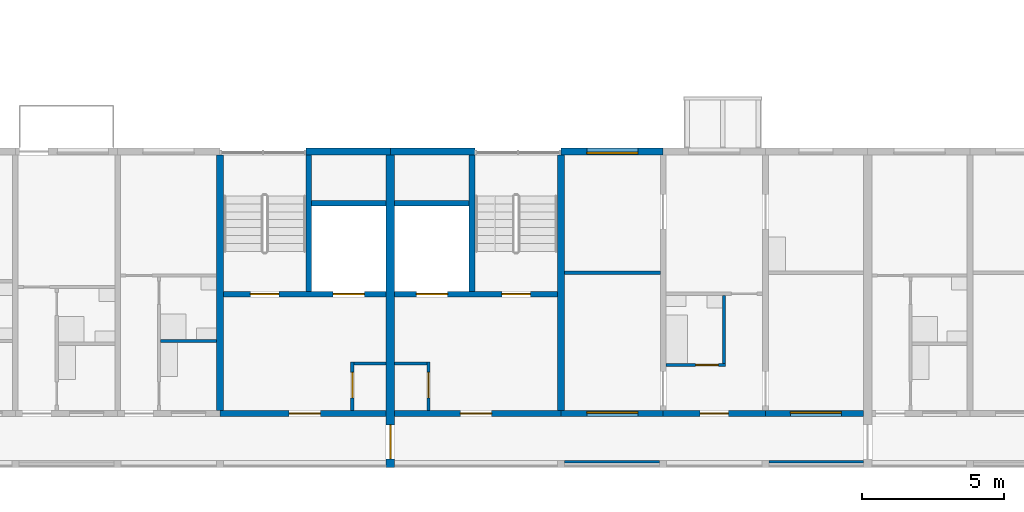
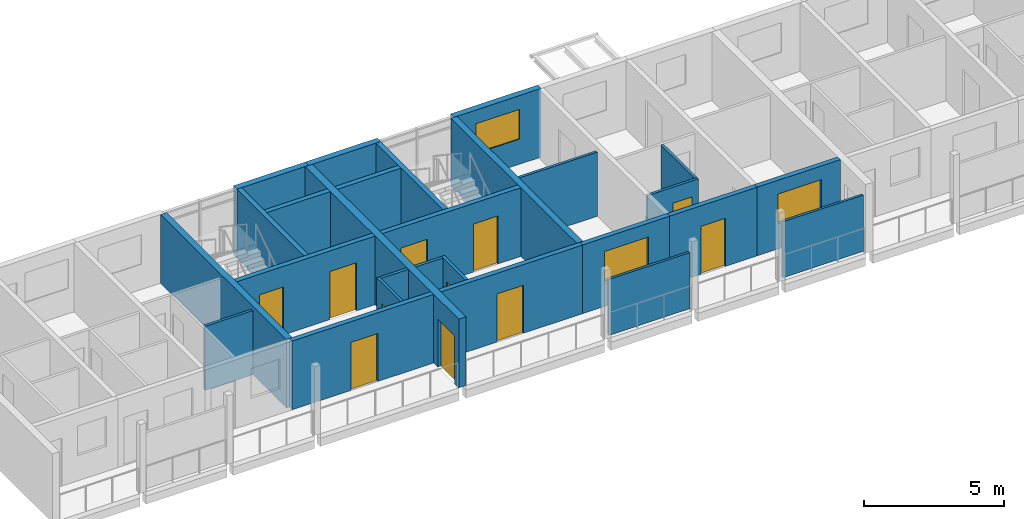
# One storey, part 44 of 94: 27 walls, 11 doors, 3 windows, 14 openings.
"""IFC4 building model written with IfcOpenShell, lengths in metres."""

from ifc_helpers import new_model, si_unit, direction, frame, frame_2d, origin, place, context, subcontext, project, spatial, rectangle, extrude, material, layer, layer_set, type_object, element, fill, save


model = new_model("IFC4")

# Units and contexts
model_context = context("Model", 3, precision=1e-05, world=origin(), true_north=direction((0.0, 1.0)))
body_context = subcontext(model_context, "Body", "Model", "MODEL_VIEW")
ifc_project = project(units=[si_unit("LENGTHUNIT", "METRE"), si_unit("AREAUNIT", "SQUARE_METRE"), si_unit("VOLUMEUNIT", "CUBIC_METRE"), si_unit("PLANEANGLEUNIT", "RADIAN"), si_unit("MASSUNIT", "GRAM", prefix="KILO")], contexts=[model_context])

# Site, building, storey
site_placement = place(None, origin())
site = spatial("IfcSite", under=ifc_project, at=site_placement, CompositionType="ELEMENT")
building_placement = place(site_placement, origin())
building = spatial("IfcBuilding", under=site, at=building_placement, Name="Ridgestep Commons", CompositionType="ELEMENT")
storey_placement = place(building_placement, frame((0.0, 0.0, 21.0)))
storey = spatial("IfcBuildingStorey", under=building, at=storey_placement, Name="L07", CompositionType="ELEMENT", Elevation=21.0)

# Walls
ifc_material_1 = material(Name="Concrete C30/37", Category="concrete")
ifc_layer_1 = layer(ifc_material_1, 0.25)
ifc_layer_set_1 = layer_set([ifc_layer_1], Name="Core cross wall 250")
wall_type_1 = type_object("IfcWallType", Name="Core cross wall 250", PredefinedType="SHEAR", material=ifc_layer_set_1)
for number, where, z_axis, x_axis, name in (
    (1, (157.60009765625, 13.75, 0.0), (0.0, 0.0, 1.0), (0.0, 1.0, 0.0), "Cross wall D-07-1576"),
    (2, (169.60009765625, 13.75, 0.0), (0.0, 0.0, 1.0), (0.0, 1.0, 0.0), "Cross wall D-07-1696"),
):
    element("IfcWall", number, at=place(storey_placement, frame(where, z_axis=z_axis, x_axis=x_axis)), inside=storey, type_object=wall_type_1, Name=name, PredefinedType="SHEAR", context=body_context, shape_type="SweptSolid", body=[
        extrude(rectangle(XDim=9.0, YDim=0.25, at=frame_2d((4.5, 0.0))), origin(), (0.0, 0.0, 1.0), 3.0),
    ])

# Wall, opening, door
ifc_material_2 = material(Name="Concrete C30/37", Category="concrete")
ifc_layer_2 = layer(ifc_material_2, 0.199951171875)
ifc_layer_set_2 = layer_set([ifc_layer_2], Name="Core south wall 200")
wall_type_2 = type_object("IfcWallType", Name="Core south wall 200", PredefinedType="SHEAR", material=ifc_layer_set_2)
wall_1_placement = place(storey_placement, frame((157.60009765625, 13.64990234375, 0.0), z_axis=(0.0, 0.0, 1.0), x_axis=(1.0, 0.0, 0.0)))
wall_1 = element("IfcWall", 3, at=wall_1_placement, inside=storey, type_object=wall_type_2, Name="Core south wall D1C L07", PredefinedType="SHEAR", context=body_context, shape_type="SweptSolid", body=[
    extrude(rectangle(XDim=5.849853515625, YDim=0.199951171875, at=frame_2d((2.9248046875, 0.0))), origin(), (0.0, 0.0, 1.0), 3.0),
])
opening_1_placement = place(wall_1_placement, frame((2.4375, 0.0, 0.0)))
opening_1 = element("IfcOpeningElement", 4, at=opening_1_placement, cuts=wall_1, Name="Opening D1C/07/1", PredefinedType="OPENING", context=body_context, shape_type="SweptSolid", body=[
    extrude(rectangle(XDim=1.10009765625, YDim=2.10009765625, at=frame_2d((0.550048828125, 1.050048828125))), frame((0.0, 0.10986328125, 0.0), z_axis=(0.0, -1.0, 0.0), x_axis=(1.0, 0.0, 0.0)), (0.0, 0.0, 1.0), 0.219970703125),
])
ifc_material_3 = material(Name="Steel fire door", Category="steel")
door_type_1 = type_object("IfcDoorType", Name="Lobby door 1100 x 2100 FD60", OperationType="NOTDEFINED", PredefinedType="DOOR", material=ifc_material_3)
door_1_placement = place(opening_1_placement, origin())
door_1 = element("IfcDoor", 5, at=door_1_placement, inside=storey, type_object=door_type_1, Name="Lobby door D1C/07/1", OperationType="SINGLE_SWING_LEFT", OverallHeight=2.10009765625, OverallWidth=1.10009765625, PredefinedType="DOOR", context=body_context, shape_type="SweptSolid", body=[
    extrude(rectangle(XDim=1.10009765625, YDim=2.10009765625, at=frame_2d((0.550048828125, 1.050048828125))), frame((0.0, 0.02490234375, 0.0), z_axis=(0.0, -1.0, 0.0), x_axis=(1.0, 0.0, 0.0)), (0.0, 0.0, 1.0), 0.050048828125),
])
fill(opening_1, door_1)

wall_2_placement = place(storey_placement, frame((163.75, 13.64990234375, 0.0), z_axis=(0.0, 0.0, 1.0), x_axis=(1.0, 0.0, 0.0)))
wall_2 = element("IfcWall", 6, at=wall_2_placement, inside=storey, type_object=wall_type_2, Name="Core south wall D2C L07", PredefinedType="SHEAR", context=body_context, shape_type="SweptSolid", body=[
    extrude(rectangle(XDim=5.85009765625, YDim=0.199951171875, at=frame_2d((2.925048828125, 0.0))), origin(), (0.0, 0.0, 1.0), 3.0),
])
opening_2_placement = place(wall_2_placement, frame((2.3125, 0.0, 0.0)))
opening_2 = element("IfcOpeningElement", 7, at=opening_2_placement, cuts=wall_2, Name="Opening D2C/07/1", PredefinedType="OPENING", context=body_context, shape_type="SweptSolid", body=[
    extrude(rectangle(XDim=1.10009765625, YDim=2.10009765625, at=frame_2d((0.550048828125, 1.050048828125))), frame((0.0, 0.10986328125, 0.0), z_axis=(0.0, -1.0, 0.0), x_axis=(1.0, 0.0, 0.0)), (0.0, 0.0, 1.0), 0.219970703125),
])
door_2_placement = place(opening_2_placement, origin())
door_2 = element("IfcDoor", 8, at=door_2_placement, inside=storey, type_object=door_type_1, Name="Lobby door D2C/07/1", OperationType="SINGLE_SWING_LEFT", OverallHeight=2.10009765625, OverallWidth=1.10009765625, PredefinedType="DOOR", context=body_context, shape_type="SweptSolid", body=[
    extrude(rectangle(XDim=1.10009765625, YDim=2.10009765625, at=frame_2d((0.550048828125, 1.050048828125))), frame((0.0, 0.02490234375, 0.0), z_axis=(0.0, -1.0, 0.0), x_axis=(1.0, 0.0, 0.0)), (0.0, 0.0, 1.0), 0.050048828125),
])
fill(opening_2, door_2)

ifc_material_4 = material(Name="Concrete C30/37", Category="concrete")
ifc_layer_3 = layer(ifc_material_4, 0.1201171875)
ifc_layer_set_3 = layer_set([ifc_layer_3], Name="Core wall 120")
wall_type_3 = type_object("IfcWallType", Name="Core wall 120", PredefinedType="SHEAR", material=ifc_layer_set_3)
wall_3_placement = place(storey_placement, frame((162.260009765625, 13.75, 0.0), z_axis=(0.0, 0.0, 1.0), x_axis=(0.0, 1.0, 0.0)))
wall_3 = element("IfcWall", 9, at=wall_3_placement, inside=storey, type_object=wall_type_3, Name="Core riser w wall D1C L07", PredefinedType="SHEAR", context=body_context, shape_type="SweptSolid", body=[
    extrude(rectangle(XDim=1.719970703125, YDim=0.1201171875, at=frame_2d((0.85986328125, 0.0))), origin(), (0.0, 0.0, 1.0), 3.0),
])
opening_3_placement = place(wall_3_placement, frame((0.449951171875, 0.0, 0.0)))
opening_3 = element("IfcOpeningElement", 10, at=opening_3_placement, cuts=wall_3, Name="Opening D1C/07/4", PredefinedType="OPENING", context=body_context, shape_type="SweptSolid", body=[
    extrude(rectangle(XDim=0.89990234375, YDim=2.10009765625, at=frame_2d((0.449951171875, 1.050048828125))), frame((0.0, 0.070068359375, 0.0), z_axis=(0.0, -1.0, 0.0), x_axis=(1.0, 0.0, 0.0)), (0.0, 0.0, 1.0), 0.14013671875),
])
ifc_material_5 = material(Name="Steel fire door", Category="steel")
door_type_2 = type_object("IfcDoorType", Name="Riser door 900 x 2100 FD60", OperationType="NOTDEFINED", PredefinedType="DOOR", material=ifc_material_5)
door_3_placement = place(opening_3_placement, origin())
door_3 = element("IfcDoor", 11, at=door_3_placement, inside=storey, type_object=door_type_2, Name="Riser door D1C/07/4", OperationType="SINGLE_SWING_LEFT", OverallHeight=2.10009765625, OverallWidth=0.89990234375, PredefinedType="DOOR", context=body_context, shape_type="SweptSolid", body=[
    extrude(rectangle(XDim=0.89990234375, YDim=2.10009765625, at=frame_2d((0.449951171875, 1.050048828125))), frame((0.0, 0.02490234375, 0.0), z_axis=(0.0, -1.0, 0.0), x_axis=(1.0, 0.0, 0.0)), (0.0, 0.0, 1.0), 0.050048828125),
])
fill(opening_3, door_3)

# Wall
wall_4_placement = place(storey_placement, frame((162.320068359375, 15.409912109375, 0.0), z_axis=(0.0, 0.0, 1.0), x_axis=(1.0, 0.0, 0.0)))
element("IfcWall", 12, at=wall_4_placement, inside=storey, type_object=wall_type_3, Name="Core riser n wall D1C L07", PredefinedType="SHEAR", context=body_context, shape_type="SweptSolid", body=[
    extrude(rectangle(XDim=1.1298828125, YDim=0.1201171875, at=frame_2d((0.56494140625, 0.0))), origin(), (0.0, 0.0, 1.0), 3.0),
])

# Wall, opening, door
wall_5_placement = place(storey_placement, frame((164.93994140625, 13.75, 0.0), z_axis=(0.0, 0.0, 1.0), x_axis=(0.0, 1.0, 0.0)))
wall_5 = element("IfcWall", 13, at=wall_5_placement, inside=storey, type_object=wall_type_3, Name="Core riser w wall D2C L07", PredefinedType="SHEAR", context=body_context, shape_type="SweptSolid", body=[
    extrude(rectangle(XDim=1.719970703125, YDim=0.1201171875, at=frame_2d((0.85986328125, 0.0))), origin(), (0.0, 0.0, 1.0), 3.0),
])
opening_4_placement = place(wall_5_placement, frame((0.449951171875, 0.0, 0.0)))
opening_4 = element("IfcOpeningElement", 14, at=opening_4_placement, cuts=wall_5, Name="Opening D2C/07/4", PredefinedType="OPENING", context=body_context, shape_type="SweptSolid", body=[
    extrude(rectangle(XDim=0.89990234375, YDim=2.10009765625, at=frame_2d((0.449951171875, 1.050048828125))), frame((0.0, 0.070068359375, 0.0), z_axis=(0.0, -1.0, 0.0), x_axis=(1.0, 0.0, 0.0)), (0.0, 0.0, 1.0), 0.14013671875),
])
door_4_placement = place(opening_4_placement, origin())
door_4 = element("IfcDoor", 15, at=door_4_placement, inside=storey, type_object=door_type_2, Name="Riser door D2C/07/4", OperationType="SINGLE_SWING_RIGHT", OverallHeight=2.10009765625, OverallWidth=0.89990234375, PredefinedType="DOOR", context=body_context, shape_type="SweptSolid", body=[
    extrude(rectangle(XDim=0.89990234375, YDim=2.10009765625, at=frame_2d((0.449951171875, 1.050048828125))), frame((0.0, 0.02490234375, 0.0), z_axis=(0.0, -1.0, 0.0), x_axis=(1.0, 0.0, 0.0)), (0.0, 0.0, 1.0), 0.050048828125),
])
fill(opening_4, door_4)

# Wall
wall_6_placement = place(storey_placement, frame((163.75, 15.409912109375, 0.0), z_axis=(0.0, 0.0, 1.0), x_axis=(1.0, 0.0, 0.0)))
element("IfcWall", 16, at=wall_6_placement, inside=storey, type_object=wall_type_3, Name="Core riser n wall D2C L07", PredefinedType="SHEAR", context=body_context, shape_type="SweptSolid", body=[
    extrude(rectangle(XDim=1.1298828125, YDim=0.1201171875, at=frame_2d((0.56494140625, 0.0))), origin(), (0.0, 0.0, 1.0), 3.0),
])

# Wall, openings, doors
ifc_material_6 = material(Name="Concrete C30/37", Category="concrete")
ifc_layer_4 = layer(ifc_material_6, 0.199951171875)
ifc_layer_set_4 = layer_set([ifc_layer_4], Name="Core wall 200")
wall_type_4 = type_object("IfcWallType", Name="Core wall 200", PredefinedType="SHEAR", material=ifc_layer_set_4)
wall_7_placement = place(storey_placement, frame((157.72509765625, 17.85009765625, 0.0), z_axis=(0.0, 0.0, 1.0), x_axis=(1.0, 0.0, 0.0)))
wall_7 = element("IfcWall", 17, at=wall_7_placement, inside=storey, type_object=wall_type_4, Name="Core lobby wall D1C L07", PredefinedType="SHEAR", context=body_context, shape_type="SweptSolid", body=[
    extrude(rectangle(XDim=5.724853515625, YDim=0.199951171875, at=frame_2d((2.8623046875, 0.0))), origin(), (0.0, 0.0, 1.0), 3.0),
])
opening_5_placement = place(wall_7_placement, frame((0.949951171875, 0.0, 0.0)))
opening_5 = element("IfcOpeningElement", 18, at=opening_5_placement, cuts=wall_7, Name="Opening D1C/07/2", PredefinedType="OPENING", context=body_context, shape_type="SweptSolid", body=[
    extrude(rectangle(XDim=1.0, YDim=2.10009765625, at=frame_2d((0.5, 1.050048828125))), frame((0.0, 0.10986328125, 0.0), z_axis=(0.0, -1.0, 0.0), x_axis=(1.0, 0.0, 0.0)), (0.0, 0.0, 1.0), 0.219970703125),
])
opening_6_placement = place(wall_7_placement, frame((3.862548828125, 0.0, 0.0)))
opening_6 = element("IfcOpeningElement", 19, at=opening_6_placement, cuts=wall_7, Name="Opening D1C/07/3", PredefinedType="OPENING", context=body_context, shape_type="SweptSolid", body=[
    extrude(rectangle(XDim=1.10009765625, YDim=2.10009765625, at=frame_2d((0.550048828125, 1.050048828125))), frame((0.0, 0.10986328125, 0.0), z_axis=(0.0, -1.0, 0.0), x_axis=(1.0, 0.0, 0.0)), (0.0, 0.0, 1.0), 0.219970703125),
])
ifc_material_7 = material(Name="Stainless steel", Category="steel")
door_type_3 = type_object("IfcDoorType", Name="Lift landing door 1100 x 2100 FD60", OperationType="DOUBLE_DOOR_SLIDING", PredefinedType="DOOR", material=ifc_material_7)
door_5_placement = place(opening_6_placement, origin())
door_5 = element("IfcDoor", 20, at=door_5_placement, inside=storey, type_object=door_type_3, Name="Landing door LD D1C L07", OperationType="DOUBLE_DOOR_SLIDING", OverallHeight=2.10009765625, OverallWidth=1.10009765625, PredefinedType="DOOR", context=body_context, shape_type="SweptSolid", body=[
    extrude(rectangle(XDim=1.10009765625, YDim=2.10009765625, at=frame_2d((0.550048828125, 1.050048828125))), frame((0.0, 0.02490234375, 0.0), z_axis=(0.0, -1.0, 0.0), x_axis=(1.0, 0.0, 0.0)), (0.0, 0.0, 1.0), 0.050048828125),
])
fill(opening_6, door_5)
ifc_material_8 = material(Name="Steel fire door", Category="steel")
door_type_4 = type_object("IfcDoorType", Name="Stair door 1000 x 2100 FD60", OperationType="NOTDEFINED", PredefinedType="DOOR", material=ifc_material_8)
door_6_placement = place(opening_5_placement, origin())
door_6 = element("IfcDoor", 21, at=door_6_placement, inside=storey, type_object=door_type_4, Name="Stair door D1C/07/2", OperationType="SINGLE_SWING_RIGHT", OverallHeight=2.10009765625, OverallWidth=1.0, PredefinedType="DOOR", context=body_context, shape_type="SweptSolid", body=[
    extrude(rectangle(XDim=1.0, YDim=2.10009765625, at=frame_2d((0.5, 1.050048828125))), frame((0.0, 0.02490234375, 0.0), z_axis=(0.0, -1.0, 0.0), x_axis=(1.0, 0.0, 0.0)), (0.0, 0.0, 1.0), 0.050048828125),
])
fill(opening_5, door_6)

# Walls
wall_8_placement = place(storey_placement, frame((160.72509765625, 17.949951171875, 0.0), z_axis=(0.0, 0.0, 1.0), x_axis=(0.0, 1.0, 0.0)))
element("IfcWall", 22, at=wall_8_placement, inside=storey, type_object=wall_type_4, Name="Core stair wall D1C L07", PredefinedType="SHEAR", context=body_context, shape_type="SweptSolid", body=[
    extrude(rectangle(XDim=4.800048828125, YDim=0.199951171875, at=frame_2d((2.39990234375, 0.0))), origin(), (0.0, 0.0, 1.0), 3.0),
])
wall_9_placement = place(storey_placement, frame((160.824951171875, 21.050048828125, 0.0), z_axis=(0.0, 0.0, 1.0), x_axis=(1.0, 0.0, 0.0)))
element("IfcWall", 23, at=wall_9_placement, inside=storey, type_object=wall_type_4, Name="Core duct wall D1C L07", PredefinedType="SHEAR", context=body_context, shape_type="SweptSolid", body=[
    extrude(rectangle(XDim=2.625, YDim=0.199951171875, at=frame_2d((1.3125, 0.0))), origin(), (0.0, 0.0, 1.0), 3.0),
])

# Wall, openings, doors
wall_10_placement = place(storey_placement, frame((163.75, 17.85009765625, 0.0), z_axis=(0.0, 0.0, 1.0), x_axis=(1.0, 0.0, 0.0)))
wall_10 = element("IfcWall", 24, at=wall_10_placement, inside=storey, type_object=wall_type_4, Name="Core lobby wall D2C L07", PredefinedType="SHEAR", context=body_context, shape_type="SweptSolid", body=[
    extrude(rectangle(XDim=5.72509765625, YDim=0.199951171875, at=frame_2d((2.862548828125, 0.0))), origin(), (0.0, 0.0, 1.0), 3.0),
])
opening_7_placement = place(wall_10_placement, frame((3.77490234375, 0.0, 0.0)))
opening_7 = element("IfcOpeningElement", 25, at=opening_7_placement, cuts=wall_10, Name="Opening D2C/07/2", PredefinedType="OPENING", context=body_context, shape_type="SweptSolid", body=[
    extrude(rectangle(XDim=1.0, YDim=2.10009765625, at=frame_2d((0.5, 1.050048828125))), frame((0.0, 0.10986328125, 0.0), z_axis=(0.0, -1.0, 0.0), x_axis=(1.0, 0.0, 0.0)), (0.0, 0.0, 1.0), 0.219970703125),
])
opening_8_placement = place(wall_10_placement, frame((0.762451171875, 0.0, 0.0)))
opening_8 = element("IfcOpeningElement", 26, at=opening_8_placement, cuts=wall_10, Name="Opening D2C/07/3", PredefinedType="OPENING", context=body_context, shape_type="SweptSolid", body=[
    extrude(rectangle(XDim=1.10009765625, YDim=2.10009765625, at=frame_2d((0.550048828125, 1.050048828125))), frame((0.0, 0.10986328125, 0.0), z_axis=(0.0, -1.0, 0.0), x_axis=(1.0, 0.0, 0.0)), (0.0, 0.0, 1.0), 0.219970703125),
])
door_7_placement = place(opening_8_placement, origin())
door_7 = element("IfcDoor", 27, at=door_7_placement, inside=storey, type_object=door_type_3, Name="Landing door LD D2C L07", OperationType="DOUBLE_DOOR_SLIDING", OverallHeight=2.10009765625, OverallWidth=1.10009765625, PredefinedType="DOOR", context=body_context, shape_type="SweptSolid", body=[
    extrude(rectangle(XDim=1.10009765625, YDim=2.10009765625, at=frame_2d((0.550048828125, 1.050048828125))), frame((0.0, 0.02490234375, 0.0), z_axis=(0.0, -1.0, 0.0), x_axis=(1.0, 0.0, 0.0)), (0.0, 0.0, 1.0), 0.050048828125),
])
fill(opening_8, door_7)
door_8_placement = place(opening_7_placement, origin())
door_8 = element("IfcDoor", 28, at=door_8_placement, inside=storey, type_object=door_type_4, Name="Stair door D2C/07/2", OperationType="SINGLE_SWING_RIGHT", OverallHeight=2.10009765625, OverallWidth=1.0, PredefinedType="DOOR", context=body_context, shape_type="SweptSolid", body=[
    extrude(rectangle(XDim=1.0, YDim=2.10009765625, at=frame_2d((0.5, 1.050048828125))), frame((0.0, 0.02490234375, 0.0), z_axis=(0.0, -1.0, 0.0), x_axis=(1.0, 0.0, 0.0)), (0.0, 0.0, 1.0), 0.050048828125),
])
fill(opening_7, door_8)

# Walls
wall_11_placement = place(storey_placement, frame((166.47509765625, 17.949951171875, 0.0), z_axis=(0.0, 0.0, 1.0), x_axis=(0.0, 1.0, 0.0)))
element("IfcWall", 29, at=wall_11_placement, inside=storey, type_object=wall_type_4, Name="Core stair wall D2C L07", PredefinedType="SHEAR", context=body_context, shape_type="SweptSolid", body=[
    extrude(rectangle(XDim=4.800048828125, YDim=0.199951171875, at=frame_2d((2.39990234375, 0.0))), origin(), (0.0, 0.0, 1.0), 3.0),
])
wall_12_placement = place(storey_placement, frame((163.75, 21.050048828125, 0.0), z_axis=(0.0, 0.0, 1.0), x_axis=(1.0, 0.0, 0.0)))
element("IfcWall", 30, at=wall_12_placement, inside=storey, type_object=wall_type_4, Name="Core duct wall D2C L07", PredefinedType="SHEAR", context=body_context, shape_type="SweptSolid", body=[
    extrude(rectangle(XDim=2.625, YDim=0.199951171875, at=frame_2d((1.3125, 0.0))), origin(), (0.0, 0.0, 1.0), 3.0),
])

# Wall, opening, door
ifc_material_9 = material(Name="Precast concrete C40/50", Category="concrete")
ifc_layer_5 = layer(ifc_material_9, 0.300048828125)
ifc_layer_set_5 = layer_set([ifc_layer_5], Name="Division wall 300")
wall_type_5 = type_object("IfcWallType", Name="Division wall 300", PredefinedType="SHEAR", material=ifc_layer_set_5)
wall_13_placement = place(storey_placement, frame((163.60009765625, 11.75, 0.0), z_axis=(0.0, 0.0, 1.0), x_axis=(0.0, 1.0, 0.0)))
wall_13 = element("IfcWall", 31, at=wall_13_placement, inside=storey, type_object=wall_type_5, Name="Cross wall D-07-1636", PredefinedType="SHEAR", context=body_context, shape_type="SweptSolid", body=[
    extrude(rectangle(XDim=11.0, YDim=0.300048828125, at=frame_2d((5.5, 0.0))), origin(), (0.0, 0.0, 1.0), 3.0),
])
opening_9_placement = place(wall_13_placement, frame((0.300048828125, 0.0, 0.0)))
opening_9 = element("IfcOpeningElement", 32, at=opening_9_placement, cuts=wall_13, Name="Opening D/07/G1636", PredefinedType="OPENING", context=body_context, shape_type="SweptSolid", body=[
    extrude(rectangle(XDim=1.199951171875, YDim=2.10009765625, at=frame_2d((0.60009765625, 1.050048828125))), frame((0.0, 0.159912109375, 0.0), z_axis=(0.0, -1.0, 0.0), x_axis=(1.0, 0.0, 0.0)), (0.0, 0.0, 1.0), 0.320068359375),
])
ifc_material_10 = material(Name="Steel fire door", Category="steel")
door_type_5 = type_object("IfcDoorType", Name="Division fire door 1200 x 2100 EI 240", OperationType="DOUBLE_DOOR_SINGLE_SWING", PredefinedType="DOOR", material=ifc_material_10)
door_9_placement = place(opening_9_placement, origin())
door_9 = element("IfcDoor", 33, at=door_9_placement, inside=storey, type_object=door_type_5, Name="Division fire door D/07/G1636", OperationType="DOUBLE_DOOR_SINGLE_SWING", OverallHeight=2.10009765625, OverallWidth=1.199951171875, PredefinedType="DOOR", context=body_context, shape_type="SweptSolid", body=[
    extrude(rectangle(XDim=1.199951171875, YDim=2.10009765625, at=frame_2d((0.60009765625, 1.050048828125))), frame((0.0, 0.02490234375, 0.0), z_axis=(0.0, -1.0, 0.0), x_axis=(1.0, 0.0, 0.0)), (0.0, 0.0, 1.0), 0.050048828125),
])
fill(opening_9, door_9)

# Walls
ifc_material_11 = material(Name="Precast concrete C40/50", Category="concrete")
ifc_layer_6 = layer(ifc_material_11, 0.25)
ifc_layer_set_6 = layer_set([ifc_layer_6], Name="North facade panel 250")
wall_type_6 = type_object("IfcWallType", Name="North facade panel 250", PredefinedType="SOLIDWALL", material=ifc_layer_set_6)
wall_14_placement = place(storey_placement, frame((160.625, 22.875, 0.0), z_axis=(0.0, 0.0, 1.0), x_axis=(1.0, 0.0, 0.0)))
element("IfcWall", 34, at=wall_14_placement, inside=storey, type_object=wall_type_6, Name="North panel D1C L07", PredefinedType="SOLIDWALL", context=body_context, shape_type="SweptSolid", body=[
    extrude(rectangle(XDim=2.97509765625, YDim=0.25, at=frame_2d((1.487548828125, 0.0))), origin(), (0.0, 0.0, 1.0), 3.0),
])
wall_15_placement = place(storey_placement, frame((163.60009765625, 22.875, 0.0), z_axis=(0.0, 0.0, 1.0), x_axis=(1.0, 0.0, 0.0)))
element("IfcWall", 35, at=wall_15_placement, inside=storey, type_object=wall_type_6, Name="North panel D2C L07", PredefinedType="SOLIDWALL", context=body_context, shape_type="SweptSolid", body=[
    extrude(rectangle(XDim=2.974853515625, YDim=0.25, at=frame_2d((1.4873046875, 0.0))), origin(), (0.0, 0.0, 1.0), 3.0),
])

# Wall, opening, window
wall_16_placement = place(storey_placement, frame((169.60009765625, 22.875, 0.0), z_axis=(0.0, 0.0, 1.0), x_axis=(1.0, 0.0, 0.0)))
wall_16 = element("IfcWall", 36, at=wall_16_placement, inside=storey, type_object=wall_type_6, Name="North panel D2T3 L07", PredefinedType="SOLIDWALL", context=body_context, shape_type="SweptSolid", body=[
    extrude(rectangle(XDim=3.599853515625, YDim=0.25, at=frame_2d((1.7998046875, 0.0))), origin(), (0.0, 0.0, 1.0), 3.0),
])
opening_10_placement = place(wall_16_placement, frame((0.91259765625, 0.0, 1.10009765625)))
opening_10 = element("IfcOpeningElement", 37, at=opening_10_placement, cuts=wall_16, Name="Opening W18", PredefinedType="OPENING", context=body_context, shape_type="SweptSolid", body=[
    extrude(rectangle(XDim=1.800048828125, YDim=1.300048828125, at=frame_2d((0.89990234375, 0.64990234375))), frame((0.0, 0.135009765625, 0.0), z_axis=(0.0, -1.0, 0.0), x_axis=(1.0, 0.0, 0.0)), (0.0, 0.0, 1.0), 0.27001953125),
])
ifc_material_12 = material(Name="Aluminium 6063-T6 and glass", Category="aluminium")
window_type = type_object("IfcWindowType", Name="Flat window 1800 x 1300", PartitioningType="DOUBLE_PANEL_VERTICAL", PredefinedType="WINDOW", material=ifc_material_12)
window_1_placement = place(opening_10_placement, origin())
window_1 = element("IfcWindow", 38, at=window_1_placement, inside=storey, type_object=window_type, Name="Window D2-07a 2", OverallHeight=1.300048828125, OverallWidth=1.800048828125, PartitioningType="SINGLE_PANEL", PredefinedType="WINDOW", context=body_context, shape_type="SweptSolid", body=[
    extrude(rectangle(XDim=1.800048828125, YDim=1.300048828125, at=frame_2d((0.89990234375, 0.64990234375))), frame((0.0, -0.02490234375, 0.0), z_axis=(0.0, -1.0, 0.0), x_axis=(1.0, 0.0, 0.0)), (0.0, 0.0, 1.0), 0.06005859375),
])
fill(opening_10, window_1)

# Wall
ifc_material_13 = material(Name="Common brick 110 mm", Category="masonry")
ifc_layer_7 = layer(ifc_material_13, 0.110107421875)
ifc_layer_set_7 = layer_set([ifc_layer_7], Name="Partition 110")
wall_type_7 = type_object("IfcWallType", Name="Partition 110", PredefinedType="PARTITIONING", material=ifc_layer_set_7)
wall_17_placement = place(storey_placement, frame((155.510009765625, 16.205078125, 0.0), z_axis=(0.0, 0.0, 1.0), x_axis=(1.0, 0.0, 0.0)))
element("IfcWall", 39, at=wall_17_placement, inside=storey, type_object=wall_type_7, Name="Partition D1-07c", PredefinedType="PARTITIONING", context=body_context, shape_type="SweptSolid", body=[
    extrude(rectangle(XDim=1.965087890625, YDim=0.110107421875, at=frame_2d((0.982421875, 0.0))), origin(), (0.0, 0.0, 1.0), 2.800048828125),
])

# Wall, opening, door
wall_18_placement = place(storey_placement, frame((173.300048828125, 15.35498046875, 0.0), z_axis=(0.0, 0.0, 1.0), x_axis=(1.0, 0.0, 0.0)))
wall_18 = element("IfcWall", 40, at=wall_18_placement, inside=storey, type_object=wall_type_7, Name="Partition D2-07a", PredefinedType="PARTITIONING", context=body_context, shape_type="SweptSolid", body=[
    extrude(rectangle(XDim=2.099853515625, YDim=0.110107421875, at=frame_2d((1.0498046875, 0.0))), origin(), (0.0, 0.0, 1.0), 2.800048828125),
])
opening_11_placement = place(wall_18_placement, frame((1.0400390625, 0.0, 0.0)))
opening_11 = element("IfcOpeningElement", 41, at=opening_11_placement, cuts=wall_18, Name="Opening D2-07a/2", PredefinedType="OPENING", context=body_context, shape_type="SweptSolid", body=[
    extrude(rectangle(XDim=0.800048828125, YDim=2.10009765625, at=frame_2d((0.39990234375, 1.050048828125))), frame((0.0, 0.06494140625, 0.0), z_axis=(0.0, -1.0, 0.0), x_axis=(1.0, 0.0, 0.0)), (0.0, 0.0, 1.0), 0.130126953125),
])
ifc_material_14 = material(Name="Timber door leaf", Category="wood")
door_type_6 = type_object("IfcDoorType", Name="Internal door 800 x 2100", OperationType="NOTDEFINED", PredefinedType="DOOR", material=ifc_material_14)
door_10_placement = place(opening_11_placement, origin())
door_10 = element("IfcDoor", 42, at=door_10_placement, inside=storey, type_object=door_type_6, Name="Internal door D2-07a/2", OperationType="SINGLE_SWING_RIGHT", OverallHeight=2.10009765625, OverallWidth=0.800048828125, PredefinedType="DOOR", context=body_context, shape_type="SweptSolid", body=[
    extrude(rectangle(XDim=0.800048828125, YDim=2.10009765625, at=frame_2d((0.39990234375, 1.050048828125))), frame((0.0, 0.02490234375, 0.0), z_axis=(0.0, -1.0, 0.0), x_axis=(1.0, 0.0, 0.0)), (0.0, 0.0, 1.0), 0.050048828125),
])
fill(opening_11, door_10)

# Walls
wall_19_placement = place(storey_placement, frame((175.344970703125, 15.409912109375, 0.0), z_axis=(0.0, 0.0, 1.0), x_axis=(0.0, 1.0, 0.0)))
element("IfcWall", 43, at=wall_19_placement, inside=storey, type_object=wall_type_7, Name="Partition D2-07a", PredefinedType="PARTITIONING", context=body_context, shape_type="SweptSolid", body=[
    extrude(rectangle(XDim=2.400146484375, YDim=0.110107421875, at=frame_2d((1.2001953125, 0.0))), origin(), (0.0, 0.0, 1.0), 2.800048828125),
])
wall_20_placement = place(storey_placement, frame((169.72509765625, 18.60498046875, 0.0), z_axis=(0.0, 0.0, 1.0), x_axis=(1.0, 0.0, 0.0)))
element("IfcWall", 44, at=wall_20_placement, inside=storey, type_object=wall_type_7, Name="Partition D2-07a", PredefinedType="PARTITIONING", context=body_context, shape_type="SweptSolid", body=[
    extrude(rectangle(XDim=3.375, YDim=0.110107421875, at=frame_2d((1.6875, 0.0))), origin(), (0.0, 0.0, 1.0), 2.800048828125),
])
ifc_material_15 = material(Name="Precast concrete C30/37", Category="concrete")
ifc_layer_8 = layer(ifc_material_15, 0.10009765625)
ifc_layer_set_8 = layer_set([ifc_layer_8], Name="Perforated gallery screen 3325 x 2450 x 100")
wall_type_8 = type_object("IfcWallType", Name="Perforated gallery screen 3325 x 2450 x 100", PredefinedType="SOLIDWALL", material=ifc_layer_set_8)
wall_21_placement = place(storey_placement, frame((176.925048828125, 11.949951171875, 0.0), z_axis=(0.0, 0.0, 1.0), x_axis=(1.0, 0.0, 0.0)))
element("IfcWall", 45, at=wall_21_placement, inside=storey, type_object=wall_type_8, Name="Gallery screen D2T1 07", PredefinedType="SOLIDWALL", context=body_context, shape_type="SweptSolid", body=[
    extrude(rectangle(XDim=3.324951171875, YDim=0.10009765625, at=frame_2d((1.66259765625, 0.0))), origin(), (0.0, 0.0, 1.0), 2.449951171875),
])
ifc_material_16 = material(Name="Precast concrete C30/37", Category="concrete")
ifc_layer_9 = layer(ifc_material_16, 0.10009765625)
ifc_layer_set_9 = layer_set([ifc_layer_9], Name="Perforated gallery screen 3350 x 2450 x 100")
wall_type_9 = type_object("IfcWallType", Name="Perforated gallery screen 3350 x 2450 x 100", PredefinedType="SOLIDWALL", material=ifc_layer_set_9)
wall_22_placement = place(storey_placement, frame((169.72509765625, 11.949951171875, 0.0), z_axis=(0.0, 0.0, 1.0), x_axis=(1.0, 0.0, 0.0)))
element("IfcWall", 46, at=wall_22_placement, inside=storey, type_object=wall_type_9, Name="Gallery screen D2T3 07", PredefinedType="SOLIDWALL", context=body_context, shape_type="SweptSolid", body=[
    extrude(rectangle(XDim=3.349853515625, YDim=0.10009765625, at=frame_2d((1.6748046875, 0.0))), origin(), (0.0, 0.0, 1.0), 2.449951171875),
])

# Wall, opening, window
ifc_material_17 = material(Name="Precast concrete C40/50", Category="concrete")
ifc_layer_10 = layer(ifc_material_17, 0.199951171875)
ifc_layer_set_10 = layer_set([ifc_layer_10], Name="South facade panel 200")
wall_type_10 = type_object("IfcWallType", Name="South facade panel 200", PredefinedType="SOLIDWALL", material=ifc_layer_set_10)
wall_23_placement = place(storey_placement, frame((169.60009765625, 13.64990234375, 0.0), z_axis=(0.0, 0.0, 1.0), x_axis=(1.0, 0.0, 0.0)))
wall_23 = element("IfcWall", 47, at=wall_23_placement, inside=storey, type_object=wall_type_10, Name="South panel D2T3 L07", PredefinedType="SOLIDWALL", context=body_context, shape_type="SweptSolid", body=[
    extrude(rectangle(XDim=3.599853515625, YDim=0.199951171875, at=frame_2d((1.7998046875, 0.0))), origin(), (0.0, 0.0, 1.0), 3.0),
])
opening_12_placement = place(wall_23_placement, frame((0.91259765625, 0.0, 1.10009765625)))
opening_12 = element("IfcOpeningElement", 48, at=opening_12_placement, cuts=wall_23, Name="Opening W18", PredefinedType="OPENING", context=body_context, shape_type="SweptSolid", body=[
    extrude(rectangle(XDim=1.800048828125, YDim=1.300048828125, at=frame_2d((0.89990234375, 0.64990234375))), frame((0.0, 0.10986328125, 0.0), z_axis=(0.0, -1.0, 0.0), x_axis=(1.0, 0.0, 0.0)), (0.0, 0.0, 1.0), 0.219970703125),
])
window_2_placement = place(opening_12_placement, origin())
window_2 = element("IfcWindow", 49, at=window_2_placement, inside=storey, type_object=window_type, Name="Window D2-07a 1", OverallHeight=1.300048828125, OverallWidth=1.800048828125, PartitioningType="SINGLE_PANEL", PredefinedType="WINDOW", context=body_context, shape_type="SweptSolid", body=[
    extrude(rectangle(XDim=1.800048828125, YDim=1.300048828125, at=frame_2d((0.89990234375, 0.64990234375))), frame((0.0, 0.06005859375, 0.0), z_axis=(0.0, -1.0, 0.0), x_axis=(1.0, 0.0, 0.0)), (0.0, 0.0, 1.0), 0.06005859375),
])
fill(opening_12, window_2)

# Wall, opening, door
wall_24_placement = place(storey_placement, frame((173.199951171875, 13.64990234375, 0.0), z_axis=(0.0, 0.0, 1.0), x_axis=(1.0, 0.0, 0.0)))
wall_24 = element("IfcWall", 50, at=wall_24_placement, inside=storey, type_object=wall_type_10, Name="South panel D2T2 L07", PredefinedType="SOLIDWALL", context=body_context, shape_type="SweptSolid", body=[
    extrude(rectangle(XDim=3.60009765625, YDim=0.199951171875, at=frame_2d((1.800048828125, 0.0))), origin(), (0.0, 0.0, 1.0), 3.0),
])
opening_13_placement = place(wall_24_placement, frame((1.300048828125, 0.0, 0.0)))
opening_13 = element("IfcOpeningElement", 51, at=opening_13_placement, cuts=wall_24, Name="Opening D2-07a/1", PredefinedType="OPENING", context=body_context, shape_type="SweptSolid", body=[
    extrude(rectangle(XDim=1.0, YDim=2.10009765625, at=frame_2d((0.5, 1.050048828125))), frame((0.0, 0.10986328125, 0.0), z_axis=(0.0, -1.0, 0.0), x_axis=(1.0, 0.0, 0.0)), (0.0, 0.0, 1.0), 0.219970703125),
])
ifc_material_18 = material(Name="Timber door leaf", Category="wood")
door_type_7 = type_object("IfcDoorType", Name="Flat entrance door 1000 x 2100 FD30S", OperationType="NOTDEFINED", PredefinedType="DOOR", material=ifc_material_18)
door_11_placement = place(opening_13_placement, origin())
door_11 = element("IfcDoor", 52, at=door_11_placement, inside=storey, type_object=door_type_7, Name="Flat entrance door D2-07a/1", OperationType="SINGLE_SWING_RIGHT", OverallHeight=2.10009765625, OverallWidth=1.0, PredefinedType="DOOR", context=body_context, shape_type="SweptSolid", body=[
    extrude(rectangle(XDim=1.0, YDim=2.10009765625, at=frame_2d((0.5, 1.050048828125))), frame((0.0, 0.02490234375, 0.0), z_axis=(0.0, -1.0, 0.0), x_axis=(1.0, 0.0, 0.0)), (0.0, 0.0, 1.0), 0.050048828125),
])
fill(opening_13, door_11)

# Wall, opening, window
wall_25_placement = place(storey_placement, frame((176.800048828125, 13.64990234375, 0.0), z_axis=(0.0, 0.0, 1.0), x_axis=(1.0, 0.0, 0.0)))
wall_25 = element("IfcWall", 53, at=wall_25_placement, inside=storey, type_object=wall_type_10, Name="South panel D2T1 L07", PredefinedType="SOLIDWALL", context=body_context, shape_type="SweptSolid", body=[
    extrude(rectangle(XDim=3.449951171875, YDim=0.199951171875, at=frame_2d((1.72509765625, 0.0))), origin(), (0.0, 0.0, 1.0), 3.0),
])
opening_14_placement = place(wall_25_placement, frame((0.875, 0.0, 1.10009765625)))
opening_14 = element("IfcOpeningElement", 54, at=opening_14_placement, cuts=wall_25, Name="Opening W18", PredefinedType="OPENING", context=body_context, shape_type="SweptSolid", body=[
    extrude(rectangle(XDim=1.800048828125, YDim=1.300048828125, at=frame_2d((0.89990234375, 0.64990234375))), frame((0.0, 0.10986328125, 0.0), z_axis=(0.0, -1.0, 0.0), x_axis=(1.0, 0.0, 0.0)), (0.0, 0.0, 1.0), 0.219970703125),
])
window_3_placement = place(opening_14_placement, origin())
window_3 = element("IfcWindow", 55, at=window_3_placement, inside=storey, type_object=window_type, Name="Window D2-07a 3", OverallHeight=1.300048828125, OverallWidth=1.800048828125, PartitioningType="SINGLE_PANEL", PredefinedType="WINDOW", context=body_context, shape_type="SweptSolid", body=[
    extrude(rectangle(XDim=1.800048828125, YDim=1.300048828125, at=frame_2d((0.89990234375, 0.64990234375))), frame((0.0, 0.06005859375, 0.0), z_axis=(0.0, -1.0, 0.0), x_axis=(1.0, 0.0, 0.0)), (0.0, 0.0, 1.0), 0.06005859375),
])
fill(opening_14, window_3)

save(model, "model.ifc")
